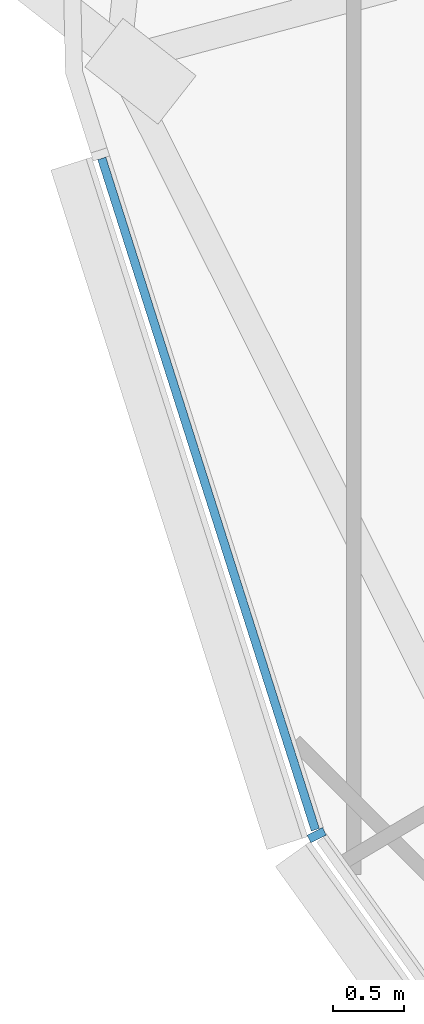
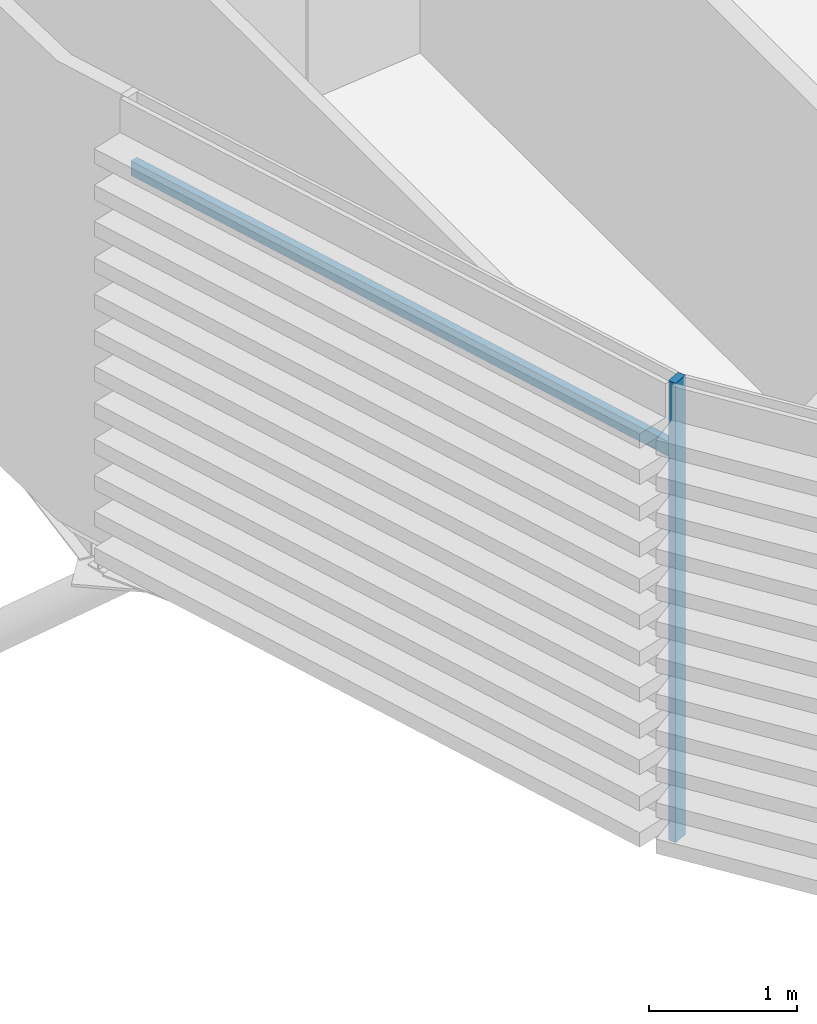
# One storey, part 7 of 36: 2 members, 1 element without a shape of its own.
"""IFC4 building model written with IfcOpenShell, lengths in metres."""

from ifc_helpers import new_model, si_unit, direction, frame, origin, origin_2d, place, context, subcontext, project, spatial, rectangle, extrude, material, material_profile, profile_set, type_object, element, aggregate, save


model = new_model("IFC4")

# Units and contexts
model_context = context("Model", 3, precision=1e-05, world=origin(), true_north=direction((0.0, 1.0)))
body_context = subcontext(model_context, "Body", "Model", "MODEL_VIEW")
ifc_project = project(units=[si_unit("LENGTHUNIT", "METRE"), si_unit("AREAUNIT", "SQUARE_METRE"), si_unit("VOLUMEUNIT", "CUBIC_METRE"), si_unit("PLANEANGLEUNIT", "RADIAN"), si_unit("MASSUNIT", "GRAM", prefix="KILO")], contexts=[model_context])

# Site, building, storey
site_placement = place(None, origin())
site = spatial("IfcSite", under=ifc_project, at=site_placement, CompositionType="ELEMENT")
building_placement = place(site_placement, origin())
building = spatial("IfcBuilding", under=site, at=building_placement, Name="Rimbun Link Towers", CompositionType="ELEMENT")
storey_placement = place(building_placement, frame((0.0, 0.0, 189.300048828125)))
storey = spatial("IfcBuildingStorey", under=building, at=storey_placement, Name="L46", CompositionType="ELEMENT", Elevation=189.300048828125)

# Curtain wall, members
ifc_material_1 = material(Name="Aluminium 6063-T6 and low-iron glass", Category="aluminium")
curtain_wall_type = type_object("IfcCurtainWallType", Name="CW1-Z3 unitised vision wall (zone 3)", PredefinedType="NOTDEFINED", material=ifc_material_1)
curtain_wall_placement = place(storey_placement, origin())
curtain_wall = element("IfcCurtainWall", 1, at=curtain_wall_placement, inside=storey, type_object=curtain_wall_type, Name="CW1 L46 T2", PredefinedType="NOTDEFINED")
ifc_material_2 = material(Name="Aluminium 6063-T6", Category="aluminium")
ifc_material_profile_1 = material_profile(ifc_material_2, rectangle(XDim=0.1201171875, YDim=0.06005859375, at=origin_2d()), Name="MULLION 60X120")
ifc_profile_set_1 = profile_set([ifc_material_profile_1], Name="Aluminium 6063-T6")
member_type_1 = type_object("IfcMemberType", Name="CW1 mullion 60X120", PredefinedType="MULLION", material=ifc_profile_set_1)
member_1_placement = place(storey_placement, frame((12.974853515625, -10.835693359375, 0.0), z_axis=(0.0, 0.0, 1.0), x_axis=(-0.893747569042, -0.448570265211, 0.0)))
member_1 = element("IfcMember", 2, at=member_1_placement, type_object=member_type_1, Name="CW1 mullion", PredefinedType="MULLION", context=body_context, shape_type="SweptSolid", body=[
    extrude(rectangle(XDim=0.1201171875, YDim=0.06005859375, at=origin_2d()), origin(), (0.0, 0.0, 1.0), 3.800048828125),
])
ifc_material_3 = material(Name="Aluminium 6063-T6", Category="aluminium")
ifc_material_profile_2 = material_profile(ifc_material_3, rectangle(XDim=0.06005859375, YDim=0.1201171875, at=origin_2d()), Name="TRANSOM 60X120")
ifc_profile_set_2 = profile_set([ifc_material_profile_2], Name="Aluminium 6063-T6")
member_type_2 = type_object("IfcMemberType", Name="CW1 transom 60X120", PredefinedType="USERDEFINED", material=ifc_profile_set_2)
member_2_placement = place(storey_placement, frame((12.96435546875, -10.7978515625, 3.199951171875), z_axis=(-0.303079249721, 0.952965355293, 0.0), x_axis=(-0.952965355293, -0.303079249721, 0.0)))
member_2 = element("IfcMember", 3, at=member_2_placement, type_object=member_type_2, Name="CW1 transom", ObjectType="TRANSOM", PredefinedType="USERDEFINED", context=body_context, shape_type="SweptSolid", body=[
    extrude(rectangle(XDim=0.06005859375, YDim=0.1201171875, at=origin_2d()), origin(), (0.0, 0.0, 1.0), 4.941162109375),
])
aggregate(curtain_wall, [member_1, member_2])

save(model, "model.ifc")
